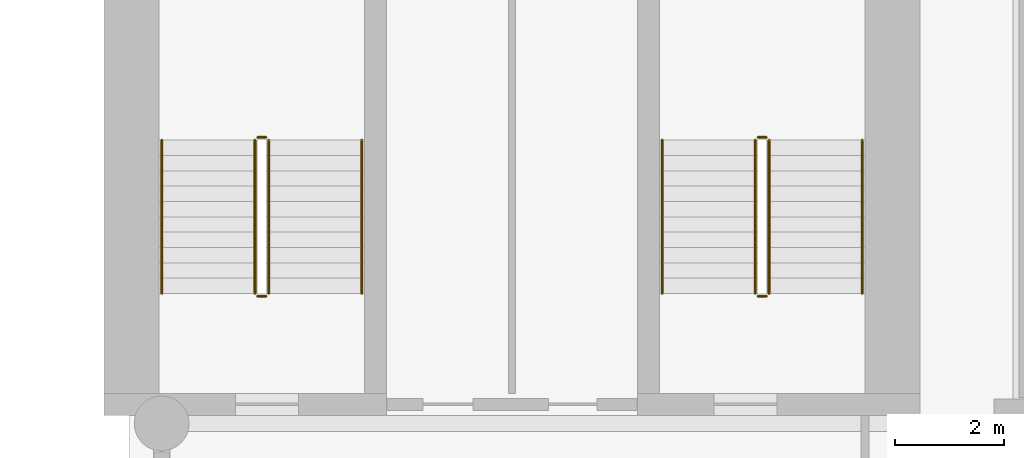
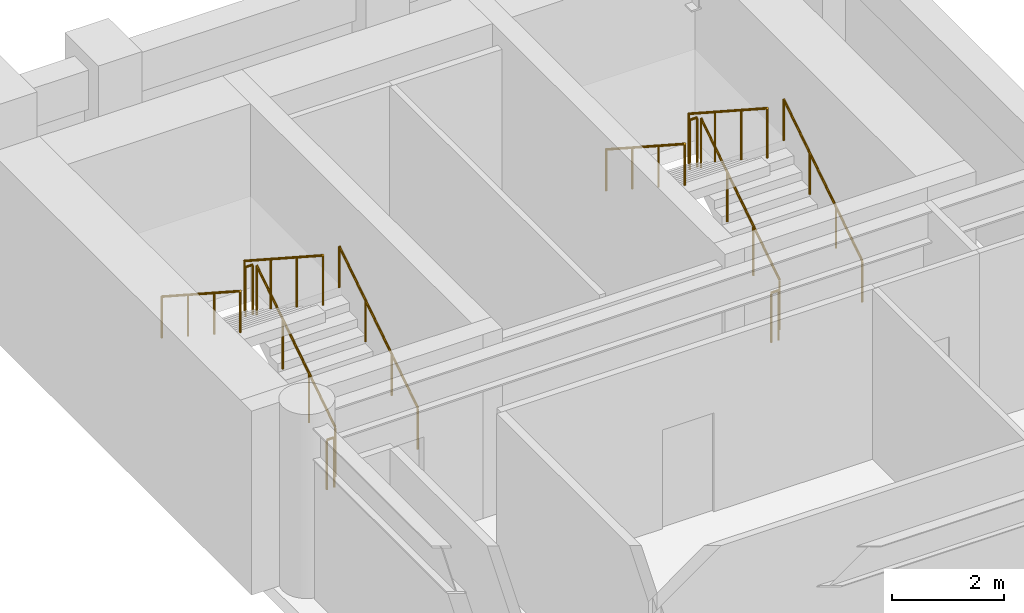
# One storey, part 10 of 10: 12 railings.
"""IFC4 building model written with IfcOpenShell, lengths in metres."""

from ifc_helpers import new_model, si_unit, direction, frame, origin, origin_2d, place, context, subcontext, project, spatial, circle, extrude, material, type_object, element, save


model = new_model("IFC4")

# Units and contexts
model_context = context("Model", 3, precision=1e-05, world=origin(), true_north=direction((0.0, 1.0)))
body_context = subcontext(model_context, "Body", "Model", "MODEL_VIEW")
ifc_project = project(units=[si_unit("LENGTHUNIT", "METRE"), si_unit("AREAUNIT", "SQUARE_METRE"), si_unit("VOLUMEUNIT", "CUBIC_METRE"), si_unit("PLANEANGLEUNIT", "RADIAN"), si_unit("MASSUNIT", "GRAM", prefix="KILO")], contexts=[model_context])

# Site, building, storey
site_placement = place(None, origin())
site = spatial("IfcSite", under=ifc_project, at=site_placement, CompositionType="ELEMENT")
building_placement = place(site_placement, origin())
building = spatial("IfcBuilding", under=site, at=building_placement, Name="Sulina Concourse Tower", CompositionType="ELEMENT")
storey_placement = place(building_placement, frame((0.0, 0.0, 22.60009765625)))
storey = spatial("IfcBuildingStorey", under=building, at=storey_placement, Name="L05", CompositionType="ELEMENT", Elevation=22.60009765625)

# Railings
ifc_material_1 = material(Name="Galvanised steel railing", Category="steel")
railing_type_1 = type_object("IfcRailingType", Name="Core Stair Steel Guardrail 1150mm", PredefinedType="GUARDRAIL", material=ifc_material_1)
railing_1_placement = place(storey_placement, frame((43.554931640625, 36.375, 0.181640625)))
element("IfcRailing", 1, at=railing_1_placement, inside=storey, type_object=railing_type_1, Name="L05 ST-3 stair guard 1", PredefinedType="GUARDRAIL", context=body_context, shape_type="SweptSolid", body=[
    extrude(circle(Radius=0.02392578125, at=origin_2d()), frame((0.0, 0.0, 1.076171875), z_axis=(0.0, 0.838672427954, 0.544636170843), x_axis=(-1.0, 0.0, 0.0)), (0.0, 0.0, 1.0), 3.338623046875),
    extrude(circle(Radius=0.02099609375, at=origin_2d()), origin(), (0.0, 0.0, 1.0), 1.052001953125),
    extrude(circle(Radius=0.02099609375, at=origin_2d()), frame((0.0, 0.933349609375, 0.606201171875)), (0.0, 0.0, 1.0), 1.052001953125),
    extrude(circle(Radius=0.02099609375, at=origin_2d()), frame((0.0, 1.86669921875, 1.212158203125)), (0.0, 0.0, 1.0), 1.052001953125),
    extrude(circle(Radius=0.02099609375, at=origin_2d()), frame((0.0, 2.800048828125, 1.818359375)), (0.0, 0.0, 1.0), 1.052001953125),
])
railing_2_placement = place(storey_placement, frame((43.5048828125, 39.22509765625, 2.0)))
element("IfcRailing", 2, at=railing_2_placement, inside=storey, type_object=railing_type_1, Name="L05 ST-3 stair guard 2", PredefinedType="GUARDRAIL", context=body_context, shape_type="SweptSolid", body=[
    extrude(circle(Radius=0.02392578125, at=origin_2d()), frame((0.0, 0.0, 1.076171875), z_axis=(-1.0, 0.0, 0.0), x_axis=(0.0, -1.0, 0.0)), (0.0, 0.0, 1.0), 0.14990234375),
    extrude(circle(Radius=0.02099609375, at=origin_2d()), origin(), (0.0, 0.0, 1.0), 1.052001953125),
    extrude(circle(Radius=0.02099609375, at=origin_2d()), frame((-0.14990234375, 0.0, 0.0)), (0.0, 0.0, 1.0), 1.052001953125),
])
railing_3_placement = place(storey_placement, frame((43.304931640625, 39.175048828125, 2.181640625)))
element("IfcRailing", 3, at=railing_3_placement, inside=storey, type_object=railing_type_1, Name="L05 ST-3 stair guard 3", PredefinedType="GUARDRAIL", context=body_context, shape_type="SweptSolid", body=[
    extrude(circle(Radius=0.02392578125, at=origin_2d()), frame((0.0, 0.0, 1.076171875), z_axis=(0.0, -0.838672427954, 0.544636170843), x_axis=(1.0, 0.0, 0.0)), (0.0, 0.0, 1.0), 3.338623046875),
    extrude(circle(Radius=0.02099609375, at=origin_2d()), origin(), (0.0, 0.0, 1.0), 1.052001953125),
    extrude(circle(Radius=0.02099609375, at=origin_2d()), frame((0.0, -0.933349609375, 0.606201171875)), (0.0, 0.0, 1.0), 1.052001953125),
    extrude(circle(Radius=0.02099609375, at=origin_2d()), frame((0.0, -1.86669921875, 1.212158203125)), (0.0, 0.0, 1.0), 1.052001953125),
    extrude(circle(Radius=0.02099609375, at=origin_2d()), frame((0.0, -2.800048828125, 1.818359375)), (0.0, 0.0, 1.0), 1.052001953125),
])
railing_4_placement = place(storey_placement, frame((43.5048828125, 36.324951171875, 0.0)))
element("IfcRailing", 4, at=railing_4_placement, inside=storey, type_object=railing_type_1, Name="L05 ST-3 stair guard 4", PredefinedType="GUARDRAIL", context=body_context, shape_type="SweptSolid", body=[
    extrude(circle(Radius=0.02392578125, at=origin_2d()), frame((0.0, 0.0, 1.076171875), z_axis=(-1.0, 0.0, 0.0), x_axis=(0.0, -1.0, 0.0)), (0.0, 0.0, 1.0), 0.14990234375),
    extrude(circle(Radius=0.02099609375, at=origin_2d()), origin(), (0.0, 0.0, 1.0), 1.052001953125),
    extrude(circle(Radius=0.02099609375, at=origin_2d()), frame((-0.14990234375, 0.0, 0.0)), (0.0, 0.0, 1.0), 1.052001953125),
])
railing_5_placement = place(storey_placement, frame((52.695068359375, 36.375, 0.181640625)))
element("IfcRailing", 5, at=railing_5_placement, inside=storey, type_object=railing_type_1, Name="L05 ST-4 stair guard 1", PredefinedType="GUARDRAIL", context=body_context, shape_type="SweptSolid", body=[
    extrude(circle(Radius=0.02392578125, at=origin_2d()), frame((0.0, 0.0, 1.076171875), z_axis=(0.0, 0.838672427954, 0.544636170843), x_axis=(-1.0, 0.0, 0.0)), (0.0, 0.0, 1.0), 3.338623046875),
    extrude(circle(Radius=0.02099609375, at=origin_2d()), origin(), (0.0, 0.0, 1.0), 1.052001953125),
    extrude(circle(Radius=0.02099609375, at=origin_2d()), frame((0.0, 0.933349609375, 0.606201171875)), (0.0, 0.0, 1.0), 1.052001953125),
    extrude(circle(Radius=0.02099609375, at=origin_2d()), frame((0.0, 1.86669921875, 1.212158203125)), (0.0, 0.0, 1.0), 1.052001953125),
    extrude(circle(Radius=0.02099609375, at=origin_2d()), frame((0.0, 2.800048828125, 1.818359375)), (0.0, 0.0, 1.0), 1.052001953125),
])
railing_6_placement = place(storey_placement, frame((52.64501953125, 39.22509765625, 2.0)))
element("IfcRailing", 6, at=railing_6_placement, inside=storey, type_object=railing_type_1, Name="L05 ST-4 stair guard 2", PredefinedType="GUARDRAIL", context=body_context, shape_type="SweptSolid", body=[
    extrude(circle(Radius=0.02392578125, at=origin_2d()), frame((0.0, 0.0, 1.076171875), z_axis=(-1.0, 0.0, 0.0), x_axis=(0.0, -1.0, 0.0)), (0.0, 0.0, 1.0), 0.14990234375),
    extrude(circle(Radius=0.02099609375, at=origin_2d()), origin(), (0.0, 0.0, 1.0), 1.052001953125),
    extrude(circle(Radius=0.02099609375, at=origin_2d()), frame((-0.14990234375, 0.0, 0.0)), (0.0, 0.0, 1.0), 1.052001953125),
])
railing_7_placement = place(storey_placement, frame((52.445068359375, 39.175048828125, 2.181640625)))
element("IfcRailing", 7, at=railing_7_placement, inside=storey, type_object=railing_type_1, Name="L05 ST-4 stair guard 3", PredefinedType="GUARDRAIL", context=body_context, shape_type="SweptSolid", body=[
    extrude(circle(Radius=0.02392578125, at=origin_2d()), frame((0.0, 0.0, 1.076171875), z_axis=(0.0, -0.838672427954, 0.544636170843), x_axis=(1.0, 0.0, 0.0)), (0.0, 0.0, 1.0), 3.338623046875),
    extrude(circle(Radius=0.02099609375, at=origin_2d()), origin(), (0.0, 0.0, 1.0), 1.052001953125),
    extrude(circle(Radius=0.02099609375, at=origin_2d()), frame((0.0, -0.933349609375, 0.606201171875)), (0.0, 0.0, 1.0), 1.052001953125),
    extrude(circle(Radius=0.02099609375, at=origin_2d()), frame((0.0, -1.86669921875, 1.212158203125)), (0.0, 0.0, 1.0), 1.052001953125),
    extrude(circle(Radius=0.02099609375, at=origin_2d()), frame((0.0, -2.800048828125, 1.818359375)), (0.0, 0.0, 1.0), 1.052001953125),
])
railing_8_placement = place(storey_placement, frame((52.64501953125, 36.324951171875, 0.0)))
element("IfcRailing", 8, at=railing_8_placement, inside=storey, type_object=railing_type_1, Name="L05 ST-4 stair guard 4", PredefinedType="GUARDRAIL", context=body_context, shape_type="SweptSolid", body=[
    extrude(circle(Radius=0.02392578125, at=origin_2d()), frame((0.0, 0.0, 1.076171875), z_axis=(-1.0, 0.0, 0.0), x_axis=(0.0, -1.0, 0.0)), (0.0, 0.0, 1.0), 0.14990234375),
    extrude(circle(Radius=0.02099609375, at=origin_2d()), origin(), (0.0, 0.0, 1.0), 1.052001953125),
    extrude(circle(Radius=0.02099609375, at=origin_2d()), frame((-0.14990234375, 0.0, 0.0)), (0.0, 0.0, 1.0), 1.052001953125),
])
ifc_material_2 = material(Name="Galvanised steel railing", Category="steel")
railing_type_2 = type_object("IfcRailingType", Name="Stair Wall Steel Handrail 920mm", PredefinedType="HANDRAIL", material=ifc_material_2)
railing_9_placement = place(storey_placement, frame((45.2548828125, 36.375, 0.181640625)))
element("IfcRailing", 9, at=railing_9_placement, inside=storey, type_object=railing_type_2, Name="L05 ST-3 stair handrail 1", PredefinedType="HANDRAIL", context=body_context, shape_type="SweptSolid", body=[
    extrude(circle(Radius=0.02392578125, at=origin_2d()), frame((0.0, 0.0, 0.89599609375), z_axis=(0.0, 0.838672427954, 0.544636170843), x_axis=(-1.0, 0.0, 0.0)), (0.0, 0.0, 1.0), 3.338623046875),
    extrude(circle(Radius=0.02099609375, at=origin_2d()), origin(), (0.0, 0.0, 1.0), 0.871826171875),
    extrude(circle(Radius=0.02099609375, at=origin_2d()), frame((0.0, 0.933349609375, 0.606201171875)), (0.0, 0.0, 1.0), 0.871826171875),
    extrude(circle(Radius=0.02099609375, at=origin_2d()), frame((0.0, 1.86669921875, 1.212158203125)), (0.0, 0.0, 1.0), 0.871826171875),
    extrude(circle(Radius=0.02099609375, at=origin_2d()), frame((0.0, 2.800048828125, 1.818359375)), (0.0, 0.0, 1.0), 0.871826171875),
])
railing_10_placement = place(storey_placement, frame((41.60498046875, 39.175048828125, 2.181640625)))
element("IfcRailing", 10, at=railing_10_placement, inside=storey, type_object=railing_type_2, Name="L05 ST-3 stair handrail 2", PredefinedType="HANDRAIL", context=body_context, shape_type="SweptSolid", body=[
    extrude(circle(Radius=0.02392578125, at=origin_2d()), frame((0.0, 0.0, 0.89599609375), z_axis=(0.0, -0.838672427954, 0.544636170843), x_axis=(1.0, 0.0, 0.0)), (0.0, 0.0, 1.0), 3.338623046875),
    extrude(circle(Radius=0.02099609375, at=origin_2d()), origin(), (0.0, 0.0, 1.0), 0.871826171875),
    extrude(circle(Radius=0.02099609375, at=origin_2d()), frame((0.0, -0.933349609375, 0.606201171875)), (0.0, 0.0, 1.0), 0.871826171875),
    extrude(circle(Radius=0.02099609375, at=origin_2d()), frame((0.0, -1.86669921875, 1.212158203125)), (0.0, 0.0, 1.0), 0.871826171875),
    extrude(circle(Radius=0.02099609375, at=origin_2d()), frame((0.0, -2.800048828125, 1.818359375)), (0.0, 0.0, 1.0), 0.871826171875),
])
railing_11_placement = place(storey_placement, frame((54.39501953125, 36.375, 0.181640625)))
element("IfcRailing", 11, at=railing_11_placement, inside=storey, type_object=railing_type_2, Name="L05 ST-4 stair handrail 1", PredefinedType="HANDRAIL", context=body_context, shape_type="SweptSolid", body=[
    extrude(circle(Radius=0.02392578125, at=origin_2d()), frame((0.0, 0.0, 0.89599609375), z_axis=(0.0, 0.838672427954, 0.544636170843), x_axis=(-1.0, 0.0, 0.0)), (0.0, 0.0, 1.0), 3.338623046875),
    extrude(circle(Radius=0.02099609375, at=origin_2d()), origin(), (0.0, 0.0, 1.0), 0.871826171875),
    extrude(circle(Radius=0.02099609375, at=origin_2d()), frame((0.0, 0.933349609375, 0.606201171875)), (0.0, 0.0, 1.0), 0.871826171875),
    extrude(circle(Radius=0.02099609375, at=origin_2d()), frame((0.0, 1.86669921875, 1.212158203125)), (0.0, 0.0, 1.0), 0.871826171875),
    extrude(circle(Radius=0.02099609375, at=origin_2d()), frame((0.0, 2.800048828125, 1.818359375)), (0.0, 0.0, 1.0), 0.871826171875),
])
railing_12_placement = place(storey_placement, frame((50.7451171875, 39.175048828125, 2.181640625)))
element("IfcRailing", 12, at=railing_12_placement, inside=storey, type_object=railing_type_2, Name="L05 ST-4 stair handrail 2", PredefinedType="HANDRAIL", context=body_context, shape_type="SweptSolid", body=[
    extrude(circle(Radius=0.02392578125, at=origin_2d()), frame((0.0, 0.0, 0.89599609375), z_axis=(0.0, -0.838672427954, 0.544636170843), x_axis=(1.0, 0.0, 0.0)), (0.0, 0.0, 1.0), 3.338623046875),
    extrude(circle(Radius=0.02099609375, at=origin_2d()), origin(), (0.0, 0.0, 1.0), 0.871826171875),
    extrude(circle(Radius=0.02099609375, at=origin_2d()), frame((0.0, -0.933349609375, 0.606201171875)), (0.0, 0.0, 1.0), 0.871826171875),
    extrude(circle(Radius=0.02099609375, at=origin_2d()), frame((0.0, -1.86669921875, 1.212158203125)), (0.0, 0.0, 1.0), 0.871826171875),
    extrude(circle(Radius=0.02099609375, at=origin_2d()), frame((0.0, -2.800048828125, 1.818359375)), (0.0, 0.0, 1.0), 0.871826171875),
])

save(model, "model.ifc")
